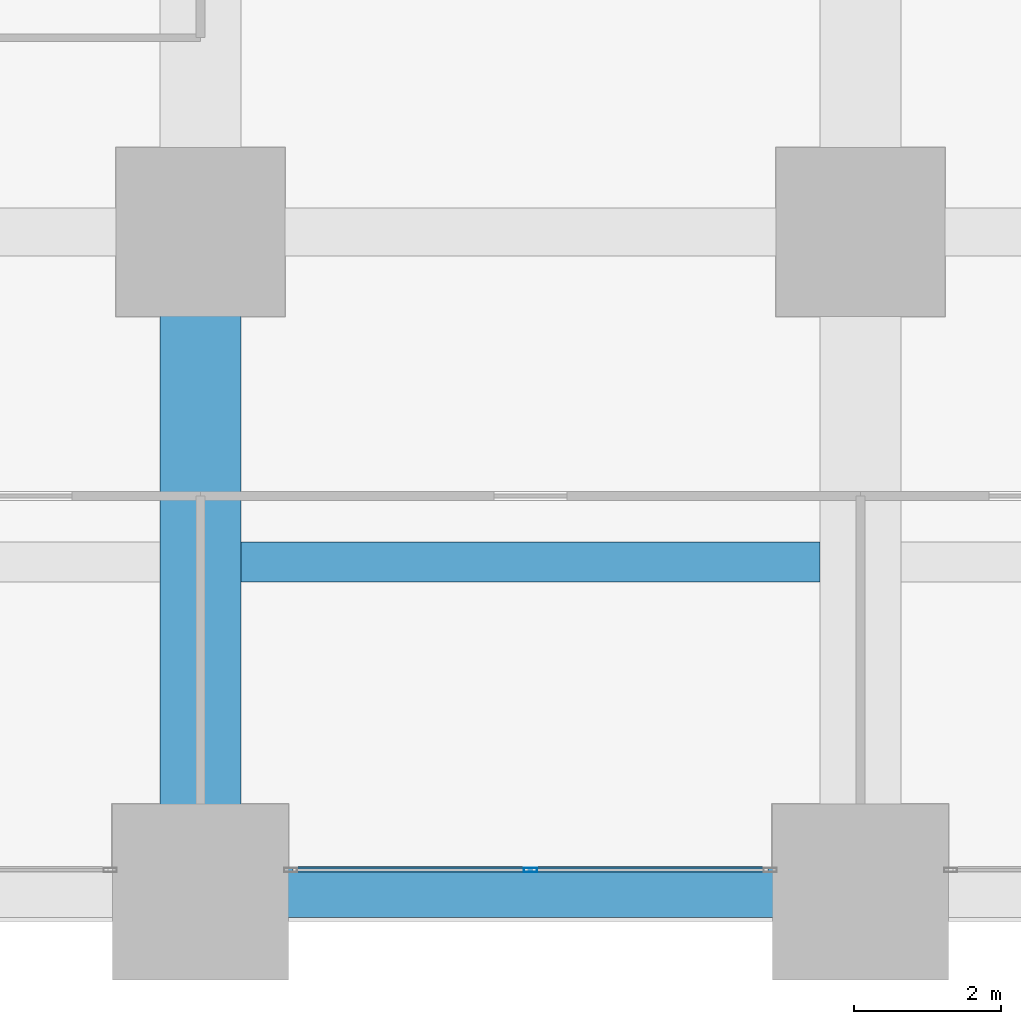
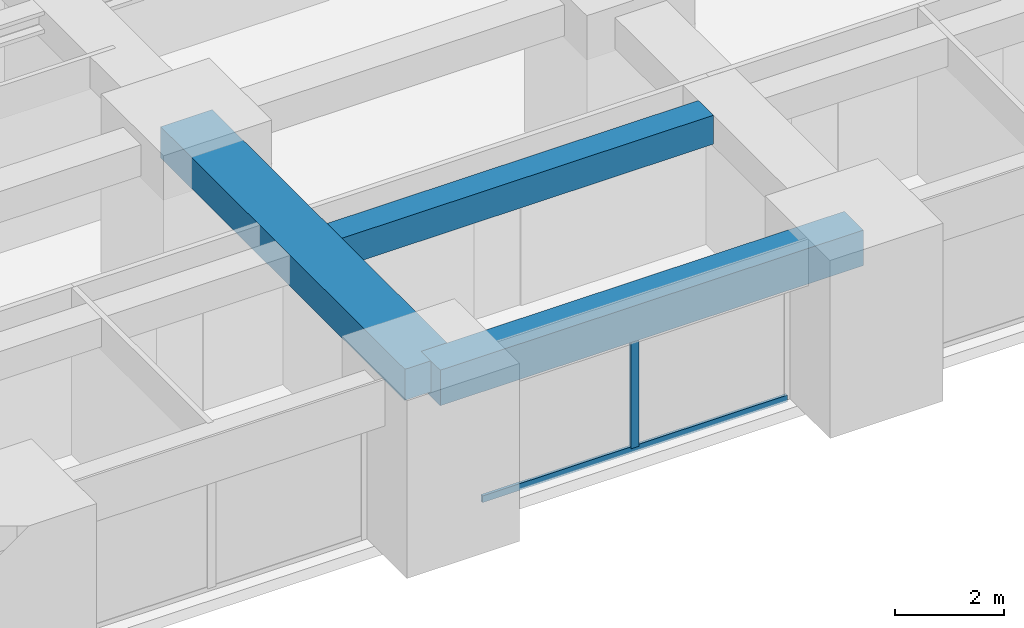
# One storey, part 7 of 45: 3 beams, 2 members, 1 element without a shape of its own.
"""IFC4 building model written with IfcOpenShell, lengths in metres."""

from ifc_helpers import new_model, si_unit, direction, frame, origin, origin_2d, place, context, subcontext, project, spatial, rectangle, hollow_rectangle, extrude, material, material_profile, profile_set, type_object, element, aggregate, save


model = new_model("IFC4")

# Units and contexts
model_context = context("Model", 3, precision=1e-05, world=origin(), true_north=direction((0.0, 1.0)))
body_context = subcontext(model_context, "Body", "Model", "MODEL_VIEW")
ifc_project = project(units=[si_unit("LENGTHUNIT", "METRE"), si_unit("AREAUNIT", "SQUARE_METRE"), si_unit("VOLUMEUNIT", "CUBIC_METRE"), si_unit("PLANEANGLEUNIT", "RADIAN"), si_unit("MASSUNIT", "GRAM", prefix="KILO")], contexts=[model_context])

# Site, building, storey
site_placement = place(None, origin())
site = spatial("IfcSite", under=ifc_project, at=site_placement, CompositionType="ELEMENT")
building_placement = place(site_placement, origin())
building = spatial("IfcBuilding", under=site, at=building_placement, Name="Zorevar Civic Tower", CompositionType="ELEMENT")
storey_placement = place(building_placement, frame((0.0, 0.0, 47.800048828125)))
storey = spatial("IfcBuildingStorey", under=building, at=storey_placement, Name="L11", CompositionType="ELEMENT", Elevation=47.800048828125)

# Beams
ifc_material_1 = material(Name="Concrete C50/60", Category="concrete")
ifc_material_profile_1 = material_profile(ifc_material_1, rectangle(XDim=1.10009765625, YDim=0.699951171875, at=origin_2d()), Name="RC 1100x700")
ifc_profile_set_1 = profile_set([ifc_material_profile_1], Name="Concrete C50/60")
beam_type_1 = type_object("IfcBeamType", Name="Beam RC 1100x700", PredefinedType="BEAM", material=ifc_profile_set_1)
beam_1_placement = place(storey_placement, frame((27.0, 0.0, 3.39990234375), z_axis=(0.0, 1.0, 0.0), x_axis=(-1.0, 0.0, 0.0)))
element("IfcBeam", 1, at=beam_1_placement, inside=storey, type_object=beam_type_1, Name="Girder L12", PredefinedType="BEAM", context=body_context, shape_type="SweptSolid", body=[
    extrude(rectangle(XDim=1.10009765625, YDim=0.699951171875, at=origin_2d()), origin(), (0.0, 0.0, 1.0), 9.0),
])
ifc_material_2 = material(Name="Concrete C50/60", Category="concrete")
ifc_material_profile_2 = material_profile(ifc_material_2, rectangle(XDim=0.550048828125, YDim=0.64990234375, at=origin_2d()), Name="RC 550x650")
ifc_profile_set_2 = profile_set([ifc_material_profile_2], Name="Concrete C50/60")
beam_type_2 = type_object("IfcBeamType", Name="Beam RC 550x650", PredefinedType="BEAM", material=ifc_profile_set_2)
beam_2_placement = place(storey_placement, frame((27.550048828125, 4.5, 3.425048828125), z_axis=(1.0, 0.0, 0.0), x_axis=(0.0, 1.0, 0.0)))
element("IfcBeam", 2, at=beam_2_placement, inside=storey, type_object=beam_type_2, Name="Secondary beam L12", PredefinedType="BEAM", context=body_context, shape_type="SweptSolid", body=[
    extrude(rectangle(XDim=0.550048828125, YDim=0.64990234375, at=origin_2d()), origin(), (0.0, 0.0, 1.0), 7.89990234375),
])

# Curtain wall, members
ifc_material_3 = material(Name="Dark grey solar-control glass in black aluminium frame", Category="aluminium")
curtain_wall_type = type_object("IfcCurtainWallType", Name="Curtain wall CW2 low zone", PredefinedType="NOTDEFINED", material=ifc_material_3)
curtain_wall_placement = place(storey_placement, origin())
curtain_wall = element("IfcCurtainWall", 3, at=curtain_wall_placement, inside=storey, type_object=curtain_wall_type, Name="CW2 L11", PredefinedType="NOTDEFINED")
ifc_material_4 = material(Name="Aluminium, black anodised", Category="aluminium")
ifc_material_profile_3 = material_profile(ifc_material_4, hollow_rectangle(XDim=0.06005859375, YDim=0.179931640625, WallThickness=0.00390625, at=origin_2d()), Name="AL 180x60x4")
ifc_profile_set_3 = profile_set([ifc_material_profile_3], Name="Aluminium, black anodised")
member_type_1 = type_object("IfcMemberType", Name="CW2 mullion AL 180x60x4", PredefinedType="MULLION", material=ifc_profile_set_3)
member_1_placement = place(storey_placement, frame((31.5, 0.300048828125, 0.06005859375), z_axis=(0.0, 0.0, 1.0), x_axis=(0.0, 1.0, 0.0)))
member_1 = element("IfcMember", 4, at=member_1_placement, type_object=member_type_1, Name="CW2 mullion 2", PredefinedType="MULLION", context=body_context, shape_type="SweptSolid", body=[
    extrude(hollow_rectangle(XDim=0.06005859375, YDim=0.179931640625, WallThickness=0.00390625, at=origin_2d()), origin(), (0.0, 0.0, 1.0), 2.889892578125),
])
ifc_material_5 = material(Name="Aluminium, black anodised", Category="aluminium")
ifc_material_profile_4 = material_profile(ifc_material_5, hollow_rectangle(XDim=0.06005859375, YDim=0.14990234375, WallThickness=0.00390625, at=origin_2d()), Name="AL 150x60x4")
ifc_profile_set_4 = profile_set([ifc_material_profile_4], Name="Aluminium, black anodised")
member_type_2 = type_object("IfcMemberType", Name="CW2 transom AL 150x60x4", PredefinedType="USERDEFINED", material=ifc_profile_set_4)
member_2_placement = place(storey_placement, frame((28.260009765625, 0.300048828125, 0.030029296875), z_axis=(1.0, 0.0, 0.0), x_axis=(0.0, 1.0, 0.0)))
member_2 = element("IfcMember", 5, at=member_2_placement, type_object=member_type_2, Name="CW2 sill transom", ObjectType="TRANSOM", PredefinedType="USERDEFINED", context=body_context, shape_type="SweptSolid", body=[
    extrude(hollow_rectangle(XDim=0.06005859375, YDim=0.14990234375, WallThickness=0.00390625, at=origin_2d()), origin(), (0.0, 0.0, 1.0), 6.47998046875),
])
aggregate(curtain_wall, [member_1, member_2])

# Beam
ifc_material_6 = material(Name="Concrete C50/60", Category="concrete")
ifc_material_profile_5 = material_profile(ifc_material_6, rectangle(XDim=0.699951171875, YDim=0.800048828125, at=origin_2d()), Name="RC 700x800")
ifc_profile_set_5 = profile_set([ifc_material_profile_5], Name="Concrete C50/60")
beam_type_3 = type_object("IfcBeamType", Name="Edge beam RC 700x800", PredefinedType="SPANDREL", material=ifc_profile_set_5)
beam_3_placement = place(storey_placement, frame((27.0, 0.0, 3.349853515625), z_axis=(1.0, 0.0, 0.0), x_axis=(0.0, 1.0, 0.0)))
element("IfcBeam", 6, at=beam_3_placement, inside=storey, type_object=beam_type_3, Name="Edge beam L12", PredefinedType="SPANDREL", context=body_context, shape_type="SweptSolid", body=[
    extrude(rectangle(XDim=0.699951171875, YDim=0.800048828125, at=origin_2d()), origin(), (0.0, 0.0, 1.0), 9.0),
])

save(model, "model.ifc")
